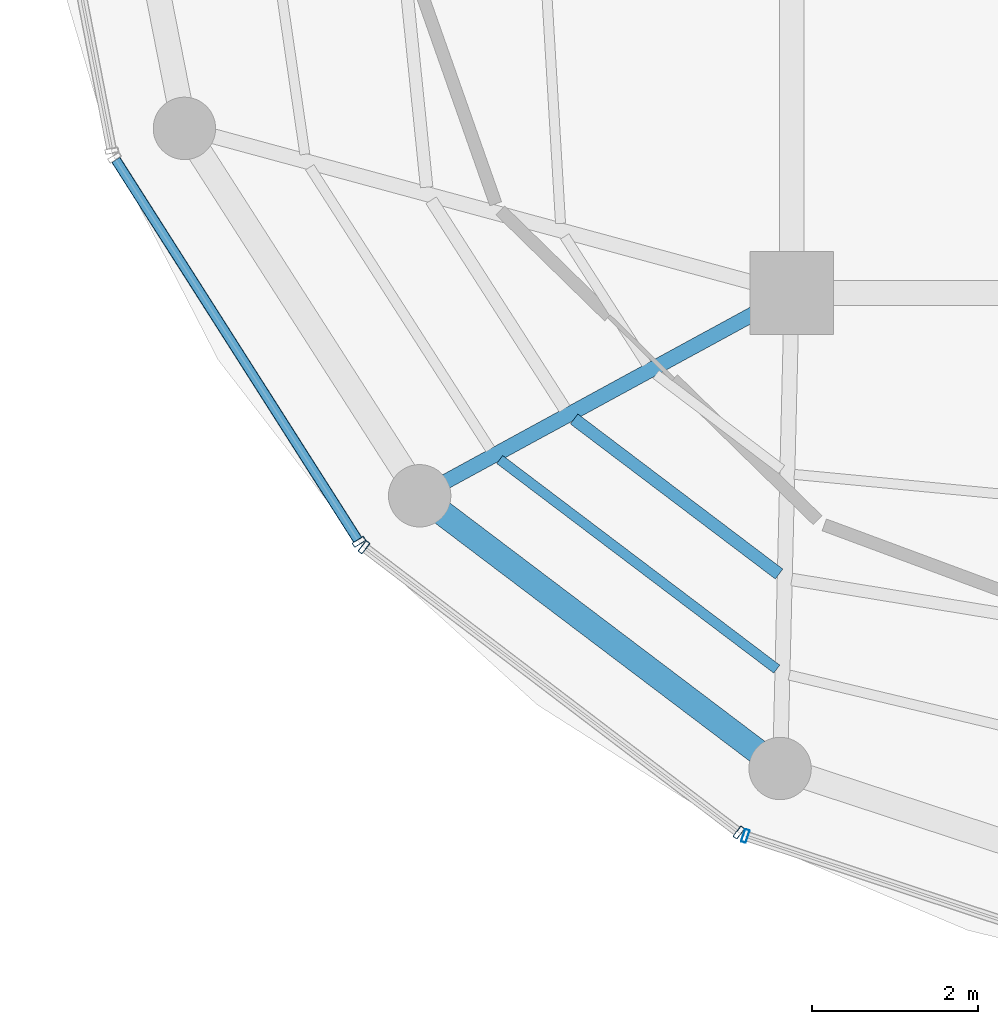
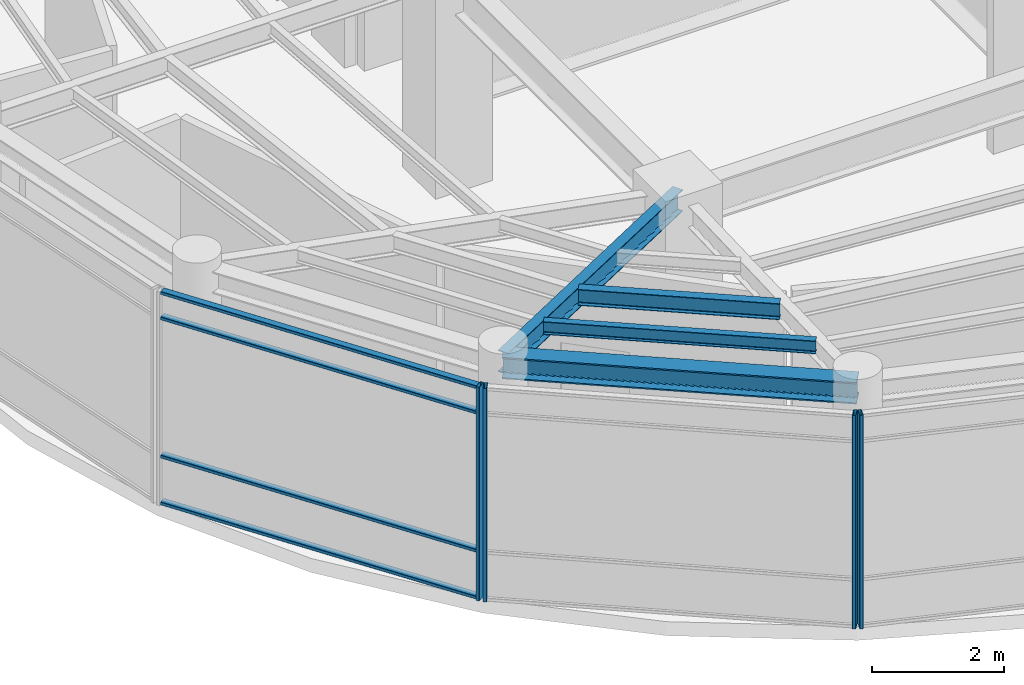
# One storey, part 2 of 19: 8 members, 4 beams, 3 elements without a shape of their own.
"""IFC4 building model written with IfcOpenShell, lengths in metres."""

from ifc_helpers import new_model, si_unit, direction, frame, origin, origin_2d, place, context, subcontext, project, spatial, hollow_rectangle, i_section, extrude, material, layer, layer_set, material_profile, profile_set, type_object, element, aggregate, save


model = new_model("IFC4")

# Units and contexts
model_context = context("Model", 3, precision=1e-05, world=origin(), true_north=direction((0.0, 1.0)))
body_context = subcontext(model_context, "Body", "Model", "MODEL_VIEW")
ifc_project = project(units=[si_unit("LENGTHUNIT", "METRE"), si_unit("AREAUNIT", "SQUARE_METRE"), si_unit("VOLUMEUNIT", "CUBIC_METRE"), si_unit("PLANEANGLEUNIT", "RADIAN"), si_unit("MASSUNIT", "GRAM", prefix="KILO")], contexts=[model_context])

# Site, building, storey
site_placement = place(None, origin())
site = spatial("IfcSite", under=ifc_project, at=site_placement, CompositionType="ELEMENT")
building_placement = place(site_placement, origin())
building = spatial("IfcBuilding", under=site, at=building_placement, Name="Kelanora Arch Commons", CompositionType="ELEMENT")
storey_placement = place(building_placement, frame((0.0, 0.0, 306.89990234375)))
storey = spatial("IfcBuildingStorey", under=building, at=storey_placement, Name="L78", CompositionType="ELEMENT", Elevation=306.89990234375)

# Beams
ifc_material_1 = material(Name="Steel S355", Category="steel")
ifc_material_profile_1 = material_profile(ifc_material_1, i_section(OverallWidth=0.14990234375, OverallDepth=0.300048828125, WebThickness=0.007080078125, FlangeThickness=0.0107421875, FilletRadius=0.014892578125, at=origin_2d()), Name="IPE300")
ifc_profile_set_1 = profile_set([ifc_material_profile_1], Name="Steel S355")
beam_type_1 = type_object("IfcBeamType", Name="BM-JST-01", PredefinedType="JOIST", material=ifc_profile_set_1)
beam_1_placement = place(storey_placement, frame((63.385009765625, 49.487060546875, 3.830078125), z_axis=(0.797441333972, -0.603396485632, 0.0), x_axis=(0.603396485632, 0.797441333972, 0.0)))
element("IfcBeam", 1, at=beam_1_placement, inside=storey, type_object=beam_type_1, Name="Secondary Chord Joist BJB-22 L78", PredefinedType="JOIST", context=body_context, shape_type="SweptSolid", body=[
    extrude(i_section(OverallWidth=0.14990234375, OverallDepth=0.300048828125, WebThickness=0.007080078125, FlangeThickness=0.0107421875, FilletRadius=0.014892578125, at=origin_2d()), origin(), (0.0, 0.0, 1.0), 3.0888671875),
])
ifc_material_profile_2 = material_profile(ifc_material_1, i_section(OverallWidth=0.1201171875, OverallDepth=0.239990234375, WebThickness=0.006103515625, FlangeThickness=0.009765625, FilletRadius=0.014892578125, at=origin_2d()), Name="IPE240")
ifc_profile_set_2 = profile_set([ifc_material_profile_2], Name="Steel S355")
beam_type_2 = type_object("IfcBeamType", Name="BM-JST-02", PredefinedType="JOIST", material=ifc_profile_set_2)
beam_2_placement = place(storey_placement, frame((62.49072265625, 48.999755859375, 3.860107421875), z_axis=(0.797480905842, -0.603344184373, 0.0), x_axis=(0.603344184373, 0.797480905842, 0.0)))
element("IfcBeam", 2, at=beam_2_placement, inside=storey, type_object=beam_type_2, Name="Secondary Chord Joist BJC-22 L78", PredefinedType="JOIST", context=body_context, shape_type="SweptSolid", body=[
    extrude(i_section(OverallWidth=0.1201171875, OverallDepth=0.239990234375, WebThickness=0.006103515625, FlangeThickness=0.009765625, FilletRadius=0.014892578125, at=origin_2d()), origin(), (0.0, 0.0, 1.0), 4.175048828125),
])
ifc_material_profile_3 = material_profile(ifc_material_1, i_section(OverallWidth=0.179931640625, OverallDepth=0.39990234375, WebThickness=0.008544921875, FlangeThickness=0.013427734375, FilletRadius=0.02099609375, at=origin_2d()), Name="IPE400")
ifc_profile_set_3 = profile_set([ifc_material_profile_3], Name="Steel S355")
beam_type_3 = type_object("IfcBeamType", Name="BM-RAD-Z5", PredefinedType="BEAM", material=ifc_profile_set_3)
beam_3_placement = place(storey_placement, frame((66.0, 51.0, 3.780029296875), z_axis=(-0.878126355987, -0.478428785631, 0.0), x_axis=(0.478428785631, -0.878126355987, 0.0)))
element("IfcBeam", 3, at=beam_3_placement, inside=storey, type_object=beam_type_3, Name="Radial Floor Girder BR-22 L78", PredefinedType="BEAM", context=body_context, shape_type="SweptSolid", body=[
    extrude(i_section(OverallWidth=0.179931640625, OverallDepth=0.39990234375, WebThickness=0.008544921875, FlangeThickness=0.013427734375, FilletRadius=0.02099609375, at=origin_2d()), origin(), (0.0, 0.0, 1.0), 5.091796875),
])
ifc_material_profile_4 = material_profile(ifc_material_1, i_section(OverallWidth=0.300048828125, OverallDepth=0.39990234375, WebThickness=0.013427734375, FlangeThickness=0.02392578125, FilletRadius=0.027099609375, at=origin_2d()), Name="HEB400")
ifc_profile_set_4 = profile_set([ifc_material_profile_4], Name="Steel S355")
beam_type_4 = type_object("IfcBeamType", Name="BM-SPN-Z4", PredefinedType="SPANDREL", material=ifc_profile_set_4)
beam_4_placement = place(storey_placement, frame((61.52880859375, 48.56396484375, 3.780029296875), z_axis=(0.797441458309, -0.603396321309, 0.0), x_axis=(0.603396321309, 0.797441458309, 0.0)))
element("IfcBeam", 4, at=beam_4_placement, inside=storey, type_object=beam_type_4, Name="Perimeter Spandrel Beam BS-22 L78", PredefinedType="SPANDREL", context=body_context, shape_type="SweptSolid", body=[
    extrude(i_section(OverallWidth=0.300048828125, OverallDepth=0.39990234375, WebThickness=0.013427734375, FlangeThickness=0.02392578125, FilletRadius=0.027099609375, at=origin_2d()), origin(), (0.0, 0.0, 1.0), 5.431396484375),
])

# Curtain wall, member
ifc_material_2 = material(Name="Terracotta ceramic-fritted low-E glass and aluminium", Category="masonry")
ifc_layer = layer(ifc_material_2, 0.14990234375)
ifc_layer_set = layer_set([ifc_layer], Name="Terracotta ceramic-fritted low-E glass and aluminium")
curtain_wall_type = type_object("IfcCurtainWallType", Name="CW-SYS-06", PredefinedType="NOTDEFINED", material=ifc_layer_set)
curtain_wall_1_placement = place(storey_placement, origin())
curtain_wall_1 = element("IfcCurtainWall", 5, at=curtain_wall_1_placement, inside=storey, type_object=curtain_wall_type, Name="Unitised Curtain Wall L78-B10", PredefinedType="NOTDEFINED")
ifc_material_3 = material(Name="Powder-coated aluminium terracotta", Category="masonry")
ifc_material_profile_5 = material_profile(ifc_material_3, hollow_rectangle(XDim=0.159912109375, YDim=0.06005859375, WallThickness=0.0048828125, InnerFilletRadius=0.0048828125, OuterFilletRadius=0.010009765625, at=origin_2d()), Name="CWM160x60")
ifc_profile_set_5 = profile_set([ifc_material_profile_5], Name="Powder-coated aluminium terracotta")
member_type_1 = type_object("IfcMemberType", Name="CWM-STD", PredefinedType="MULLION", material=ifc_profile_set_5)
member_1_placement = place(storey_placement, frame((60.7998046875, 48.010498046875, 0.0), z_axis=(0.0, 0.0, 1.0), x_axis=(0.84359225554, 0.536984270154, 0.0)))
member_1 = element("IfcMember", 6, at=member_1_placement, type_object=member_type_1, Name="CW-06 mullion 2", PredefinedType="MULLION", context=body_context, shape_type="SweptSolid", body=[
    extrude(hollow_rectangle(XDim=0.159912109375, YDim=0.06005859375, WallThickness=0.0048828125, InnerFilletRadius=0.0048828125, OuterFilletRadius=0.010009765625, at=origin_2d()), origin(), (0.0, 0.0, 1.0), 3.965087890625),
])

# Curtain wall, members
curtain_wall_2_placement = place(storey_placement, origin())
curtain_wall_2 = element("IfcCurtainWall", 7, at=curtain_wall_2_placement, inside=storey, type_object=curtain_wall_type, Name="Unitised Curtain Wall L78-B11", PredefinedType="NOTDEFINED")
member_2_placement = place(storey_placement, frame((60.85986328125, 47.9453125, 0.0), z_axis=(0.0, 0.0, 1.0), x_axis=(0.605595960801, 0.795772286688, 0.0)))
member_2 = element("IfcMember", 8, at=member_2_placement, type_object=member_type_1, Name="CW-06 mullion 1", PredefinedType="MULLION", context=body_context, shape_type="SweptSolid", body=[
    extrude(hollow_rectangle(XDim=0.159912109375, YDim=0.06005859375, WallThickness=0.0048828125, InnerFilletRadius=0.0048828125, OuterFilletRadius=0.010009765625, at=origin_2d()), origin(), (0.0, 0.0, 1.0), 3.965087890625),
])
member_3_placement = place(storey_placement, frame((65.3642578125, 44.517333984375, 0.0), z_axis=(0.0, 0.0, 1.0), x_axis=(0.605595960801, 0.795772286688, 0.0)))
member_3 = element("IfcMember", 9, at=member_3_placement, type_object=member_type_1, Name="CW-06 mullion 2", PredefinedType="MULLION", context=body_context, shape_type="SweptSolid", body=[
    extrude(hollow_rectangle(XDim=0.159912109375, YDim=0.06005859375, WallThickness=0.0048828125, InnerFilletRadius=0.0048828125, OuterFilletRadius=0.010009765625, at=origin_2d()), origin(), (0.0, 0.0, 1.0), 3.965087890625),
])
aggregate(curtain_wall_2, [member_2, member_3])

# Curtain wall, member
curtain_wall_3_placement = place(storey_placement, origin())
curtain_wall_3 = element("IfcCurtainWall", 10, at=curtain_wall_3_placement, inside=storey, type_object=curtain_wall_type, Name="Unitised Curtain Wall L78-B12", PredefinedType="NOTDEFINED")
member_4_placement = place(storey_placement, frame((65.442626953125, 44.475830078125, 0.0), z_axis=(0.0, 0.0, 1.0), x_axis=(0.313466845323, 0.949599145368, 0.0)))
member_4 = element("IfcMember", 11, at=member_4_placement, type_object=member_type_1, Name="CW-06 mullion 1", PredefinedType="MULLION", context=body_context, shape_type="SweptSolid", body=[
    extrude(hollow_rectangle(XDim=0.159912109375, YDim=0.06005859375, WallThickness=0.0048828125, InnerFilletRadius=0.0048828125, OuterFilletRadius=0.010009765625, at=origin_2d()), origin(), (0.0, 0.0, 1.0), 3.965087890625),
])
aggregate(curtain_wall_3, [member_4])

# Member
ifc_material_profile_6 = material_profile(ifc_material_3, hollow_rectangle(XDim=0.1201171875, YDim=0.06005859375, WallThickness=0.0048828125, InnerFilletRadius=0.0048828125, OuterFilletRadius=0.010009765625, at=origin_2d()), Name="CWT120x60")
ifc_profile_set_6 = profile_set([ifc_material_profile_6], Name="Powder-coated aluminium terracotta")
member_type_2 = type_object("IfcMemberType", Name="CWT-STD", PredefinedType="USERDEFINED", material=ifc_profile_set_6)
member_5_placement = place(storey_placement, frame((57.877685546875, 52.60107421875, 0.030029296875), z_axis=(0.536992252766, -0.843587174197, 0.0), x_axis=(0.843587174197, 0.536992252766, 0.0)))
member_5 = element("IfcMember", 12, at=member_5_placement, type_object=member_type_2, Name="CW-06 transom 1.1", ObjectType="TRANSOM", PredefinedType="USERDEFINED", context=body_context, shape_type="SweptSolid", body=[
    extrude(hollow_rectangle(XDim=0.1201171875, YDim=0.06005859375, WallThickness=0.0048828125, InnerFilletRadius=0.0048828125, OuterFilletRadius=0.010009765625, at=origin_2d()), origin(), (0.0, 0.0, 1.0), 5.41162109375),
])

member_6_placement = place(storey_placement, frame((57.877685546875, 52.60107421875, 0.900146484375), z_axis=(0.536992252766, -0.843587174197, 0.0), x_axis=(0.843587174197, 0.536992252766, 0.0)))
member_6 = element("IfcMember", 13, at=member_6_placement, type_object=member_type_2, Name="CW-06 transom 1.2", ObjectType="TRANSOM", PredefinedType="USERDEFINED", context=body_context, shape_type="SweptSolid", body=[
    extrude(hollow_rectangle(XDim=0.1201171875, YDim=0.06005859375, WallThickness=0.0048828125, InnerFilletRadius=0.0048828125, OuterFilletRadius=0.010009765625, at=origin_2d()), origin(), (0.0, 0.0, 1.0), 5.41162109375),
])

member_7_placement = place(storey_placement, frame((57.877685546875, 52.60107421875, 3.465087890625), z_axis=(0.536992252766, -0.843587174197, 0.0), x_axis=(0.843587174197, 0.536992252766, 0.0)))
member_7 = element("IfcMember", 14, at=member_7_placement, type_object=member_type_2, Name="CW-06 transom 1.3", ObjectType="TRANSOM", PredefinedType="USERDEFINED", context=body_context, shape_type="SweptSolid", body=[
    extrude(hollow_rectangle(XDim=0.1201171875, YDim=0.06005859375, WallThickness=0.0048828125, InnerFilletRadius=0.0048828125, OuterFilletRadius=0.010009765625, at=origin_2d()), origin(), (0.0, 0.0, 1.0), 5.41162109375),
])

member_8_placement = place(storey_placement, frame((57.877685546875, 52.60107421875, 3.93505859375), z_axis=(0.536992252766, -0.843587174197, 0.0), x_axis=(0.843587174197, 0.536992252766, 0.0)))
member_8 = element("IfcMember", 15, at=member_8_placement, type_object=member_type_2, Name="CW-06 transom 1.4", ObjectType="TRANSOM", PredefinedType="USERDEFINED", context=body_context, shape_type="SweptSolid", body=[
    extrude(hollow_rectangle(XDim=0.1201171875, YDim=0.06005859375, WallThickness=0.0048828125, InnerFilletRadius=0.0048828125, OuterFilletRadius=0.010009765625, at=origin_2d()), origin(), (0.0, 0.0, 1.0), 5.41162109375),
])

aggregate(curtain_wall_1, [member_1, member_5, member_6, member_7, member_8])

save(model, "model.ifc")
